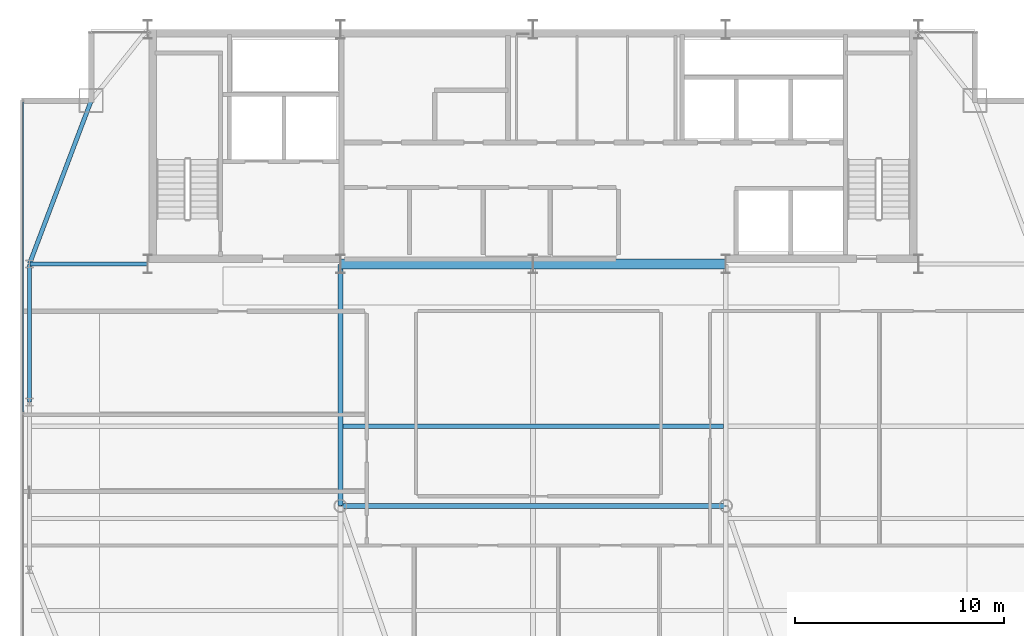
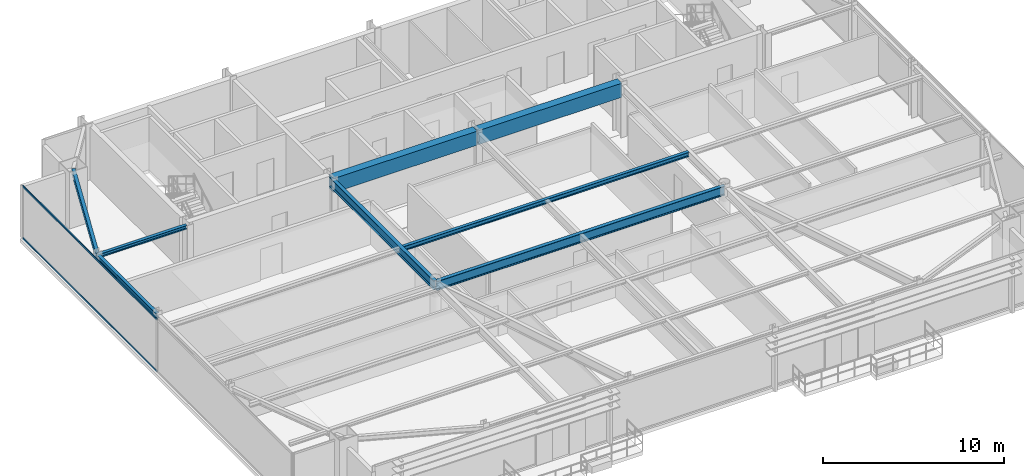
# One storey, part 11 of 30: 8 beams, 2 members, 1 element without a shape of its own.
"""IFC4 building model written with IfcOpenShell, lengths in metres."""

from ifc_helpers import new_model, si_unit, direction, frame, origin, origin_2d, place, context, subcontext, project, spatial, rectangle, hollow_rectangle, i_section, extrude, source, transform, mapped, material, layer, layer_set, material_profile, profile_set, type_object, type_shapes, element, aggregate, save


model = new_model("IFC4")

# Units and contexts
model_context = context("Model", 3, precision=1e-05, world=origin(), true_north=direction((0.0, 1.0)))
body_context = subcontext(model_context, "Body", "Model", "MODEL_VIEW")
ifc_project = project(units=[si_unit("LENGTHUNIT", "METRE"), si_unit("AREAUNIT", "SQUARE_METRE"), si_unit("VOLUMEUNIT", "CUBIC_METRE"), si_unit("PLANEANGLEUNIT", "RADIAN"), si_unit("MASSUNIT", "GRAM", prefix="KILO")], contexts=[model_context])

# Site, building, storey
site_placement = place(None, origin())
site = spatial("IfcSite", under=ifc_project, at=site_placement, CompositionType="ELEMENT")
building_placement = place(site_placement, origin())
building = spatial("IfcBuilding", under=site, at=building_placement, Name="Varnel Quay Broadcast Tower", CompositionType="ELEMENT")
storey_placement = place(building_placement, frame((0.0, 0.0, 247.0)))
storey = spatial("IfcBuildingStorey", under=building, at=storey_placement, Name="L61", CompositionType="ELEMENT", Elevation=247.0)

# Beams
ifc_material_1 = material(Name="Concrete CSA A23.3 C50/60", Category="concrete")
ifc_material_profile_1 = material_profile(ifc_material_1, rectangle(XDim=0.5, YDim=0.949951171875, at=origin_2d()), Name="RC500X950")
ifc_profile_set_1 = profile_set([ifc_material_profile_1], Name="Concrete CSA A23.3 C50/60")
beam_type_1 = type_object("IfcBeamType", Name="Beam_RC500X950", PredefinedType="BEAM", material=ifc_profile_set_1)
shared_shape_1 = source(origin(), body_context, "Body", "SweptSolid", [
    extrude(rectangle(XDim=0.5, YDim=0.949951171875, at=origin_2d()), origin(), (0.0, 0.0, 1.0), 9.159912109375),
])
type_shapes(beam_type_1, [shared_shape_1])
for number, where, z_axis, x_axis, name in (
    (1, (24.820068359375, 35.60009765625, 3.074951171875), (1.0, 0.0, 0.0), (0.0, 1.0, 0.0), "L61 Core Coupling Beam W"),
    (2, (34.02001953125, 35.60009765625, 3.074951171875), (1.0, 0.0, 0.0), (0.0, 1.0, 0.0), "L61 Core Coupling Beam E"),
):
    element("IfcBeam", number, at=place(storey_placement, frame(where, z_axis=z_axis, x_axis=x_axis)), inside=storey, type_object=beam_type_1, Name=name, PredefinedType="BEAM", context=body_context, shape_type="MappedRepresentation", body=[
        mapped(shared_shape_1, transform((0.0, 0.0, 0.0), x_axis=(1.0, 0.0, 0.0), y_axis=(0.0, 1.0, 0.0), z_axis=(0.0, 0.0, 1.0), scale=1.0)),
    ])
ifc_material_2 = material(Name="Structural Steel CSA G40.21 350W", Category="steel")
ifc_material_profile_2 = material_profile(ifc_material_2, i_section(OverallWidth=0.205078125, OverallDepth=0.35400390625, WebThickness=0.009521484375, FlangeThickness=0.016845703125, FilletRadius=0.012939453125, at=origin_2d()), Name="W360X79")
ifc_profile_set_2 = profile_set([ifc_material_profile_2], Name="Structural Steel CSA G40.21 350W")
beam_type_2 = type_object("IfcBeamType", Name="Beam_W360X79", PredefinedType="SPANDREL", material=ifc_profile_set_2)
shared_shape_2 = source(origin(), body_context, "Body", "SweptSolid", [
    extrude(i_section(OverallWidth=0.205078125, OverallDepth=0.35400390625, WebThickness=0.009521484375, FlangeThickness=0.016845703125, FilletRadius=0.012939453125, at=origin_2d()), origin(), (0.0, 0.0, 1.0), 6.56005859375),
])
beam_1_placement = place(storey_placement, frame((9.949951171875, 29.02001953125, 3.373046875), z_axis=(0.0, 1.0, 0.0), x_axis=(-1.0, 0.0, 0.0)))
element("IfcBeam", 3, at=beam_1_placement, inside=storey, type_object=beam_type_2, Name="L61 West Spandrel TC-W2-TC-W3", PredefinedType="SPANDREL", context=body_context, shape_type="MappedRepresentation", body=[
    mapped(shared_shape_2, transform((0.0, 0.0, 0.0), x_axis=(1.0, 0.0, 0.0), y_axis=(0.0, 1.0, 0.0), z_axis=(0.0, 0.0, 1.0), scale=1.0)),
])
shared_shape_3 = source(origin(), body_context, "Body", "SweptSolid", [
    extrude(i_section(OverallWidth=0.205078125, OverallDepth=0.35400390625, WebThickness=0.009521484375, FlangeThickness=0.016845703125, FilletRadius=0.012939453125, at=origin_2d()), origin(), (0.0, 0.0, 1.0), 8.29931640625),
])
type_shapes(beam_type_2, [shared_shape_2, shared_shape_3])
beam_2_placement = place(storey_placement, frame((9.95703125, 35.61865234375, 3.373046875), z_axis=(0.353739782058, 0.935343876117, 0.0), x_axis=(-0.935343876117, 0.353739782058, 0.0)))
element("IfcBeam", 4, at=beam_2_placement, inside=storey, type_object=beam_type_2, Name="L61 West Spandrel TC-W3-MC-NW", PredefinedType="SPANDREL", context=body_context, shape_type="MappedRepresentation", body=[
    mapped(shared_shape_3, transform((0.0, 0.0, 0.0), x_axis=(1.0, 0.0, 0.0), y_axis=(0.0, 1.0, 0.0), z_axis=(0.0, 0.0, 1.0), scale=1.0)),
])
ifc_material_profile_3 = material_profile(ifc_material_2, i_section(OverallWidth=0.22998046875, OverallDepth=0.616943359375, WebThickness=0.01318359375, FlangeThickness=0.022216796875, FilletRadius=0.01611328125, at=origin_2d()), Name="W610X140")
ifc_profile_set_3 = profile_set([ifc_material_profile_3], Name="Structural Steel CSA G40.21 350W")
beam_type_3 = type_object("IfcBeamType", Name="Girder_W610X140", PredefinedType="BEAM", material=ifc_profile_set_3)
shared_shape_4 = source(origin(), body_context, "Body", "SweptSolid", [
    extrude(i_section(OverallWidth=0.22998046875, OverallDepth=0.616943359375, WebThickness=0.01318359375, FlangeThickness=0.022216796875, FilletRadius=0.01611328125, at=origin_2d()), origin(), (0.0, 0.0, 1.0), 11.510009765625),
])
beam_3_placement = place(storey_placement, frame((24.800048828125, 24.070068359375, 3.241455078125), z_axis=(0.0, 1.0, 0.0), x_axis=(-1.0, 0.0, 0.0)))
element("IfcBeam", 5, at=beam_3_placement, inside=storey, type_object=beam_type_3, Name="L61 Primary Girder IC-01-CC-S2", PredefinedType="BEAM", context=body_context, shape_type="MappedRepresentation", body=[
    mapped(shared_shape_4, transform((0.0, 0.0, 0.0), x_axis=(1.0, 0.0, 0.0), y_axis=(0.0, 1.0, 0.0), z_axis=(0.0, 0.0, 1.0), scale=1.0)),
])
shared_shape_5 = source(origin(), body_context, "Body", "SweptSolid", [
    extrude(i_section(OverallWidth=0.22998046875, OverallDepth=0.616943359375, WebThickness=0.01318359375, FlangeThickness=0.022216796875, FilletRadius=0.01611328125, at=origin_2d()), origin(), (0.0, 0.0, 1.0), 18.35986328125),
])
type_shapes(beam_type_3, [shared_shape_4, shared_shape_5])
beam_4_placement = place(storey_placement, frame((24.820068359375, 24.050048828125, 3.241455078125), z_axis=(1.0, 0.0, 0.0), x_axis=(0.0, 1.0, 0.0)))
element("IfcBeam", 6, at=beam_4_placement, inside=storey, type_object=beam_type_3, Name="L61 Interior Spine Girder", PredefinedType="BEAM", context=body_context, shape_type="MappedRepresentation", body=[
    mapped(shared_shape_5, transform((0.0, 0.0, 0.0), x_axis=(1.0, 0.0, 0.0), y_axis=(0.0, 1.0, 0.0), z_axis=(0.0, 0.0, 1.0), scale=1.0)),
])
ifc_material_profile_4 = material_profile(ifc_material_2, i_section(OverallWidth=0.201904296875, OverallDepth=0.2470703125, WebThickness=0.00732421875, FlangeThickness=0.010986328125, FilletRadius=0.010986328125, at=origin_2d()), Name="W250X49")
ifc_profile_set_4 = profile_set([ifc_material_profile_4], Name="Structural Steel CSA G40.21 350W")
beam_type_4 = type_object("IfcBeamType", Name="Beam_W250X49", PredefinedType="JOIST", material=ifc_profile_set_4)
shared_shape_6 = source(origin(), body_context, "Body", "SweptSolid", [
    extrude(i_section(OverallWidth=0.201904296875, OverallDepth=0.2470703125, WebThickness=0.00732421875, FlangeThickness=0.010986328125, FilletRadius=0.010986328125, at=origin_2d()), origin(), (0.0, 0.0, 1.0), 5.610107421875),
])
type_shapes(beam_type_4, [shared_shape_6])
beam_5_placement = place(storey_placement, frame((9.969970703125, 35.60009765625, 3.426513671875), z_axis=(1.0, 0.0, 0.0), x_axis=(0.0, 1.0, 0.0)))
element("IfcBeam", 7, at=beam_5_placement, inside=storey, type_object=beam_type_4, Name="L61 West Core Tie Joist", PredefinedType="JOIST", context=body_context, shape_type="MappedRepresentation", body=[
    mapped(shared_shape_6, transform((0.0, 0.0, 0.0), x_axis=(1.0, 0.0, 0.0), y_axis=(0.0, 1.0, 0.0), z_axis=(0.0, 0.0, 1.0), scale=1.0)),
])
ifc_material_profile_5 = material_profile(ifc_material_2, i_section(OverallWidth=0.202880859375, OverallDepth=0.302978515625, WebThickness=0.007568359375, FlangeThickness=0.01318359375, FilletRadius=0.011962890625, at=origin_2d()), Name="W310X60")
ifc_profile_set_5 = profile_set([ifc_material_profile_5], Name="Structural Steel CSA G40.21 350W")
beam_type_5 = type_object("IfcBeamType", Name="Beam_W310X60", PredefinedType="JOIST", material=ifc_profile_set_5)
shared_shape_7 = source(origin(), body_context, "Body", "SweptSolid", [
    extrude(i_section(OverallWidth=0.202880859375, OverallDepth=0.302978515625, WebThickness=0.007568359375, FlangeThickness=0.01318359375, FilletRadius=0.011962890625, at=origin_2d()), origin(), (0.0, 0.0, 1.0), 18.18017578125),
])
type_shapes(beam_type_5, [shared_shape_7])
beam_6_placement = place(storey_placement, frame((24.909912109375, 27.85009765625, 3.3984375), z_axis=(1.0, 0.0, 0.0), x_axis=(0.0, 1.0, 0.0)))
element("IfcBeam", 8, at=beam_6_placement, inside=storey, type_object=beam_type_5, Name="L61 Central Floor Joist 4", PredefinedType="JOIST", context=body_context, shape_type="MappedRepresentation", body=[
    mapped(shared_shape_7, transform((0.0, 0.0, 0.0), x_axis=(1.0, 0.0, 0.0), y_axis=(0.0, 1.0, 0.0), z_axis=(0.0, 0.0, 1.0), scale=1.0)),
])

# Curtain wall, members
ifc_material_3 = material(Name="Anodised Bronze Aluminium 6063-T6", Category="aluminium")
ifc_layer = layer(ifc_material_3, 0.18994140625, Name="Anodised Bronze Aluminium 6063-T6")
ifc_layer_set = layer_set([ifc_layer], Name="Anodised Bronze Aluminium 6063-T6")
curtain_wall_type = type_object("IfcCurtainWallType", Name="CW_UpperTower", PredefinedType="NOTDEFINED", material=ifc_layer_set)
curtain_wall_placement = place(storey_placement, origin())
curtain_wall = element("IfcCurtainWall", 9, at=curtain_wall_placement, inside=storey, type_object=curtain_wall_type, Name="L61 West Unitised Curtain Wall", PredefinedType="NOTDEFINED")
ifc_material_profile_6 = material_profile(ifc_material_3, hollow_rectangle(XDim=0.06005859375, YDim=0.125, WallThickness=0.0029296875, at=origin_2d()), Name="ALU60X125X3")
ifc_profile_set_6 = profile_set([ifc_material_profile_6], Name="Anodised Bronze Aluminium 6063-T6")
member_type = type_object("IfcMemberType", Name="Tran_CWS-03", PredefinedType="USERDEFINED", material=ifc_profile_set_6)
shared_shape_8 = source(origin(), body_context, "Body", "SweptSolid", [
    extrude(hollow_rectangle(XDim=0.06005859375, YDim=0.125, WallThickness=0.0029296875, at=origin_2d()), origin(), (0.0, 0.0, 1.0), 14.802490234375),
])
type_shapes(member_type, [shared_shape_8])
member_1_placement = place(storey_placement, frame((9.64990234375, 28.532470703125, 0.030029296875), z_axis=(0.0, 1.0, 0.0), x_axis=(-1.0, 0.0, 0.0)))
member_1 = element("IfcMember", 10, at=member_1_placement, type_object=member_type, Name="CWS-03 transom 2.1", ObjectType="TRANSOM", PredefinedType="USERDEFINED", context=body_context, shape_type="MappedRepresentation", body=[
    mapped(shared_shape_8, transform((0.0, 0.0, 0.0), x_axis=(1.0, 0.0, 0.0), y_axis=(0.0, 1.0, 0.0), z_axis=(0.0, 0.0, 1.0), scale=1.0)),
])
member_2_placement = place(storey_placement, frame((9.64990234375, 28.532470703125, 3.52001953125), z_axis=(0.0, 1.0, 0.0), x_axis=(-1.0, 0.0, 0.0)))
member_2 = element("IfcMember", 11, at=member_2_placement, type_object=member_type, Name="CWS-03 transom 2.2", ObjectType="TRANSOM", PredefinedType="USERDEFINED", context=body_context, shape_type="MappedRepresentation", body=[
    mapped(shared_shape_8, transform((0.0, 0.0, 0.0), x_axis=(1.0, 0.0, 0.0), y_axis=(0.0, 1.0, 0.0), z_axis=(0.0, 0.0, 1.0), scale=1.0)),
])
aggregate(curtain_wall, [member_1, member_2])

save(model, "model.ifc")
